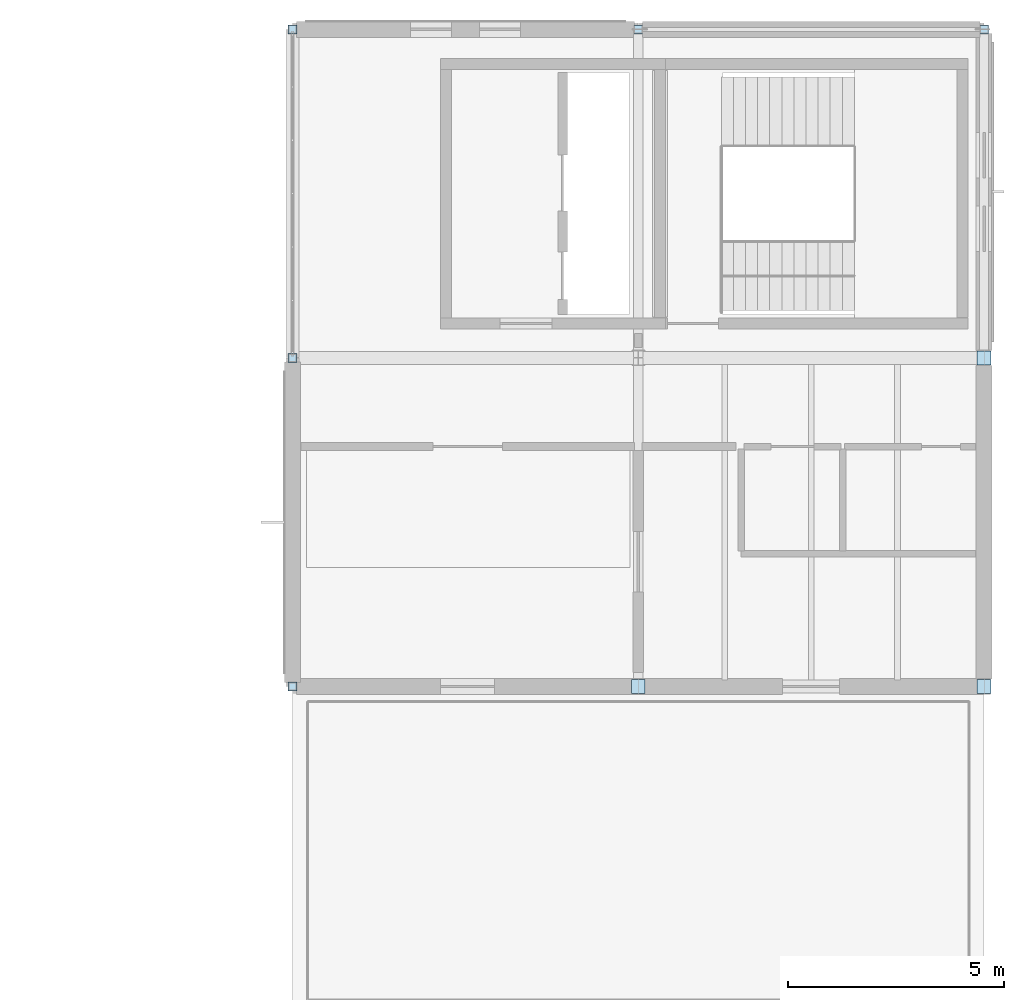
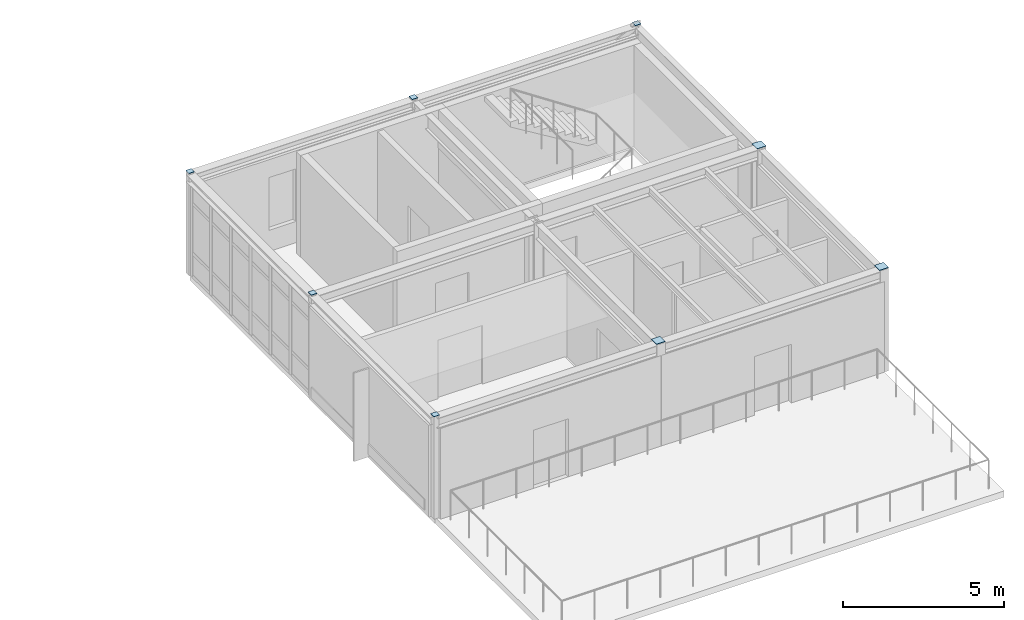
# One storey, part 20 of 26: 8 plates.
"""IFC4 building model written with IfcOpenShell, lengths in metres."""

from ifc_helpers import new_model, si_unit, direction, frame, origin, origin_2d, place, context, subcontext, project, spatial, rectangle, extrude, material, layer, layer_set, type_object, element, save


model = new_model("IFC4")

# Units and contexts
model_context = context("Model", 3, precision=1e-05, world=origin(), true_north=direction((0.0, 1.0)))
body_context = subcontext(model_context, "Body", "Model", "MODEL_VIEW")
ifc_project = project(units=[si_unit("LENGTHUNIT", "METRE"), si_unit("AREAUNIT", "SQUARE_METRE"), si_unit("VOLUMEUNIT", "CUBIC_METRE"), si_unit("PLANEANGLEUNIT", "RADIAN"), si_unit("MASSUNIT", "GRAM", prefix="KILO")], contexts=[model_context])

# Site, building, storey
site_placement = place(None, origin())
site = spatial("IfcSite", under=ifc_project, at=site_placement, CompositionType="ELEMENT")
building_placement = place(site_placement, origin())
building = spatial("IfcBuilding", under=site, at=building_placement, Name="Montecoro Central Library", CompositionType="ELEMENT")
storey_placement = place(building_placement, frame((0.0, 0.0, 21.419921875)))
storey = spatial("IfcBuildingStorey", under=building, at=storey_placement, Name="L05", CompositionType="ELEMENT", Elevation=21.419921875)

# Plates
ifc_material = material(Name="Steel S355", Category="steel")
ifc_layer = layer(ifc_material, 0.01611328125)
ifc_layer_set = layer_set([ifc_layer], Name="Steel S355")
plate_type = type_object("IfcPlateType", Name="PLT-CAP-16", PredefinedType="SHEET", material=ifc_layer_set)
for number, where, z_axis, x_axis, name in (
    (1, (141.0, 103.800048828125, 3.880126953125), (0.0, 0.0, 1.0), (1.0, 0.0, 0.0), "V5-L05-CAPPL-18-P"),
    (2, (141.0, 111.39990234375, 3.880126953125), (0.0, 0.0, 1.0), (1.0, 0.0, 0.0), "V5-L05-CAPPL-18-Q"),
    (3, (141.0, 119.0, 3.880126953125), (0.0, 0.0, 1.0), (1.0, 0.0, 0.0), "V5-L05-CAPPL-18-R"),
):
    element("IfcPlate", number, at=place(storey_placement, frame(where, z_axis=z_axis, x_axis=x_axis)), inside=storey, type_object=plate_type, Name=name, PredefinedType="SHEET", context=body_context, shape_type="SweptSolid", body=[
        extrude(rectangle(XDim=0.199951171875, YDim=0.199951171875, at=origin_2d()), origin(), (0.0, 0.0, 1.0), 0.01611328125),
    ])
plate_1_placement = place(storey_placement, frame((149.0, 103.800048828125, 3.880126953125), z_axis=(0.0, 0.0, 1.0), x_axis=(1.0, 0.0, 0.0)))
element("IfcPlate", 4, at=plate_1_placement, inside=storey, type_object=plate_type, Name="V5-L05-CAPPL-19-P", PredefinedType="SHEET", context=body_context, shape_type="SweptSolid", body=[
    extrude(rectangle(XDim=0.320068359375, YDim=0.320068359375, at=origin_2d()), origin(), (0.0, 0.0, 1.0), 0.01611328125),
])
plate_2_placement = place(storey_placement, frame((149.0, 119.0, 3.880126953125), z_axis=(0.0, 0.0, 1.0), x_axis=(1.0, 0.0, 0.0)))
element("IfcPlate", 5, at=plate_2_placement, inside=storey, type_object=plate_type, Name="V5-L05-CAPPL-19-R", PredefinedType="SHEET", context=body_context, shape_type="SweptSolid", body=[
    extrude(rectangle(XDim=0.199951171875, YDim=0.199951171875, at=origin_2d()), origin(), (0.0, 0.0, 1.0), 0.01611328125),
])
for number, where, z_axis, x_axis, name in (
    (6, (157.0, 103.800048828125, 3.880126953125), (0.0, 0.0, 1.0), (1.0, 0.0, 0.0), "V5-L05-CAPPL-20-P"),
    (7, (157.0, 111.39990234375, 3.880126953125), (0.0, 0.0, 1.0), (1.0, 0.0, 0.0), "V5-L05-CAPPL-20-Q"),
):
    element("IfcPlate", number, at=place(storey_placement, frame(where, z_axis=z_axis, x_axis=x_axis)), inside=storey, type_object=plate_type, Name=name, PredefinedType="SHEET", context=body_context, shape_type="SweptSolid", body=[
        extrude(rectangle(XDim=0.320068359375, YDim=0.320068359375, at=origin_2d()), origin(), (0.0, 0.0, 1.0), 0.01611328125),
    ])
plate_3_placement = place(storey_placement, frame((157.0, 119.0, 3.880126953125), z_axis=(0.0, 0.0, 1.0), x_axis=(1.0, 0.0, 0.0)))
element("IfcPlate", 8, at=plate_3_placement, inside=storey, type_object=plate_type, Name="V5-L05-CAPPL-20-R", PredefinedType="SHEET", context=body_context, shape_type="SweptSolid", body=[
    extrude(rectangle(XDim=0.199951171875, YDim=0.199951171875, at=origin_2d()), origin(), (0.0, 0.0, 1.0), 0.01611328125),
])

save(model, "model.ifc")
